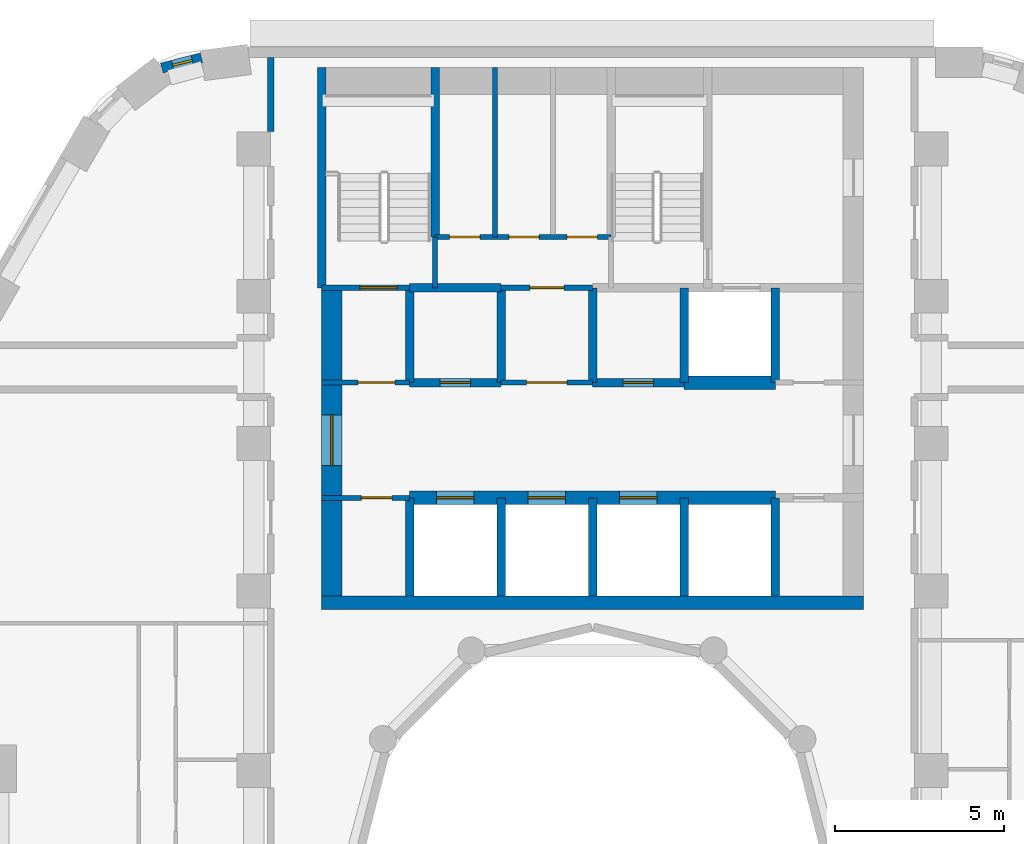
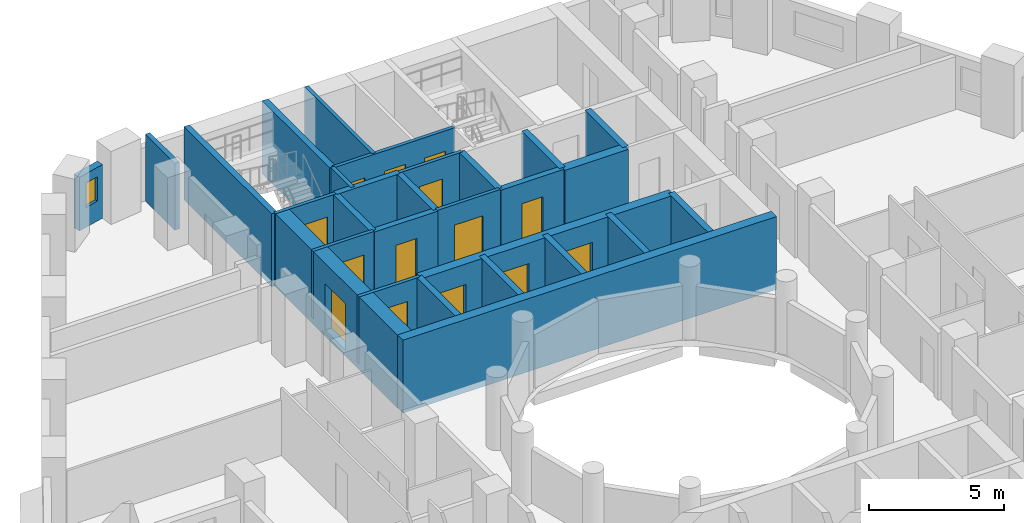
# One storey, part 7 of 12: 29 walls, 14 doors, 1 window, 15 openings.
"""IFC4 building model written with IfcOpenShell, lengths in metres."""

from ifc_helpers import new_model, si_unit, direction, frame, frame_2d, origin, place, context, subcontext, project, spatial, rectangle, extrude, material, layer, layer_set, type_object, element, fill, save


model = new_model("IFC4")

# Units and contexts
model_context = context("Model", 3, precision=1e-05, world=origin(), true_north=direction((0.0, 1.0)))
body_context = subcontext(model_context, "Body", "Model", "MODEL_VIEW")
ifc_project = project(units=[si_unit("LENGTHUNIT", "METRE"), si_unit("AREAUNIT", "SQUARE_METRE"), si_unit("VOLUMEUNIT", "CUBIC_METRE"), si_unit("PLANEANGLEUNIT", "RADIAN"), si_unit("MASSUNIT", "GRAM", prefix="KILO")], contexts=[model_context])

# Site, building, storey
site_placement = place(None, origin())
site = spatial("IfcSite", under=ifc_project, at=site_placement, CompositionType="ELEMENT")
building_placement = place(site_placement, origin())
building = spatial("IfcBuilding", under=site, at=building_placement, Name="Nakaniwa Court", CompositionType="ELEMENT")
storey_placement = place(building_placement, frame((0.0, 0.0, 104.10009765625)))
storey = spatial("IfcBuildingStorey", under=building, at=storey_placement, Name="L27", CompositionType="ELEMENT", Elevation=104.10009765625)

# Wall
ifc_material_1 = material(Name="Acoustic double stud partition")
ifc_layer_1 = layer(ifc_material_1, 0.199951171875)
ifc_layer_set_1 = layer_set([ifc_layer_1], Name="Acoustic double stud partition")
wall_type_1 = type_object("IfcWallType", Name="Acoustic double stud partition 200", PredefinedType="PARTITIONING", material=ifc_layer_set_1)
wall_1_placement = place(storey_placement, frame((70.5, 101.51708984375, 0.0), z_axis=(0.0, 0.0, 1.0), x_axis=(0.0, 1.0, 0.0)))
element("IfcWall", 1, at=wall_1_placement, inside=storey, type_object=wall_type_1, Name="Partition PW-108", PredefinedType="PARTITIONING", context=body_context, shape_type="SweptSolid", body=[
    extrude(rectangle(XDim=2.182861328125, YDim=0.199951171875, at=frame_2d((1.09130859375, 0.0))), origin(), (0.0, 0.0, 1.0), 3.02490234375),
])

# Wall, opening, window
ifc_material_2 = material(Name="Charcoal ceramic cladding")
ifc_layer_2 = layer(ifc_material_2, 0.02, Name="Ceramic cladding")
ifc_material_3 = material(Name="Ventilated air cavity")
ifc_layer_3 = layer(ifc_material_3, 0.04, ventilated=True, Name="Ventilated cavity")
ifc_material_4 = material(Name="Mineral wool insulation")
ifc_layer_4 = layer(ifc_material_4, 0.1, Name="Insulation")
ifc_material_5 = material(Name="Cement bonded sheathing board")
ifc_layer_5 = layer(ifc_material_5, 0.012, Name="Sheathing")
ifc_material_6 = material(Name="Cold-formed galvanised stud frame with mineral wool infill")
ifc_layer_6 = layer(ifc_material_6, 0.1, Name="Stud frame")
ifc_material_7 = material(Name="Fire-rated gypsum plasterboard lining")
ifc_layer_7 = layer(ifc_material_7, 0.028, Name="Lining")
ifc_layer_set_2 = layer_set([ifc_layer_2, ifc_layer_3, ifc_layer_4, ifc_layer_5, ifc_layer_6, ifc_layer_7], Name="Charcoal ceramic faced external wall system")
wall_type_2 = type_object("IfcWallType", Name="Black ceramic faced external wall 300", PredefinedType="SOLIDWALL", material=ifc_layer_set_2)
wall_2_placement = place(storey_placement, frame((68.455810546875, 103.68310546875, 0.0), z_axis=(0.0, 0.0, 1.0), x_axis=(-0.969485113966, -0.245150186208, 0.0)))
wall_2 = element("IfcWall", 2, at=wall_2_placement, inside=storey, type_object=wall_type_2, Name="L27 external wall 09", PredefinedType="SOLIDWALL", context=body_context, shape_type="SweptSolid", body=[
    extrude(rectangle(XDim=1.2080078125, YDim=0.300048828125, at=frame_2d((0.60400390625, 0.0))), origin(), (0.0, 0.0, 1.0), 2.4248046875),
])
opening_1_placement = place(wall_2_placement, frame((0.279541015625, 0.0, 0.89990234375)))
opening_1 = element("IfcOpeningElement", 3, at=opening_1_placement, cuts=wall_2, Name="Opening W8.10", PredefinedType="OPENING", context=body_context, shape_type="SweptSolid", body=[
    extrude(rectangle(XDim=0.60009765625, YDim=1.10009765625, at=frame_2d((0.300048828125, 0.550048828125))), frame((0.0, 0.159912109375, 0.0), z_axis=(0.0, -1.0, 0.0), x_axis=(1.0, 0.0, 0.0)), (0.0, 0.0, 1.0), 0.320068359375),
])
ifc_material_8 = material(Name="Black anodised aluminium frame with dark low-E laminated double glazing", Category="aluminium")
window_type = type_object("IfcWindowType", Name="Dark glass window 600x1100 sill 900", PartitioningType="SINGLE_PANEL", PredefinedType="WINDOW", material=ifc_material_8)
window_placement = place(opening_1_placement, origin())
window = element("IfcWindow", 4, at=window_placement, inside=storey, type_object=window_type, Name="L27 habitable room window 09-0", OverallHeight=1.10009765625, OverallWidth=0.60009765625, PartitioningType="SINGLE_PANEL", PredefinedType="WINDOW", context=body_context, shape_type="SweptSolid", body=[
    extrude(rectangle(XDim=0.60009765625, YDim=1.10009765625, at=frame_2d((0.300048828125, 0.550048828125))), frame((0.0, 0.030029296875, 0.0), z_axis=(0.0, -1.0, 0.0), x_axis=(1.0, 0.0, 0.0)), (0.0, 0.0, 1.0), 0.06005859375),
])
fill(opening_1, window)

# Wall, opening, door
ifc_material_9 = material(Name="Blockwork partition", Category="masonry")
ifc_layer_8 = layer(ifc_material_9, 0.14990234375)
ifc_layer_set_3 = layer_set([ifc_layer_8], Name="Blockwork partition")
wall_type_3 = type_object("IfcWallType", Name="Blockwork partition 150", PredefinedType="PARTITIONING", material=ifc_layer_set_3)
wall_3_placement = place(storey_placement, frame((74.60009765625, 90.699951171875, 0.0), z_axis=(0.0, 0.0, 1.0), x_axis=(-1.0, 0.0, 0.0)))
wall_3 = element("IfcWall", 5, at=wall_3_placement, inside=storey, type_object=wall_type_3, Name="Partition PW-003", PredefinedType="PARTITIONING", context=body_context, shape_type="SweptSolid", body=[
    extrude(rectangle(XDim=2.60009765625, YDim=0.14990234375, at=frame_2d((1.300048828125, 0.0))), origin(), (0.0, 0.0, 1.0), 3.02490234375),
])
opening_2_placement = place(wall_3_placement, frame((0.52490234375, 0.0, 0.0)))
opening_2 = element("IfcOpeningElement", 6, at=opening_2_placement, cuts=wall_3, Name="Opening D-05-01", PredefinedType="OPENING", context=body_context, shape_type="SweptSolid", body=[
    extrude(rectangle(XDim=0.89990234375, YDim=2.10009765625, at=frame_2d((0.449951171875, 1.050048828125))), frame((0.0, 0.0849609375, 0.0), z_axis=(0.0, -1.0, 0.0), x_axis=(1.0, 0.0, 0.0)), (0.0, 0.0, 1.0), 0.169921875),
])
ifc_material_10 = material(Name="Fire rated steel door set", Category="steel")
door_type_1 = type_object("IfcDoorType", Name="Service room door 900", OperationType="NOTDEFINED", PredefinedType="DOOR", material=ifc_material_10)
door_1_placement = place(opening_2_placement, origin())
door_1 = element("IfcDoor", 7, at=door_1_placement, inside=storey, type_object=door_type_1, Name="Door D-05-01 L27-001", OperationType="SINGLE_SWING_RIGHT", OverallHeight=2.10009765625, OverallWidth=0.89990234375, PredefinedType="DOOR", context=body_context, shape_type="SweptSolid", body=[
    extrude(rectangle(XDim=0.89990234375, YDim=2.10009765625, at=frame_2d((0.449951171875, 1.050048828125))), frame((0.0, 0.02490234375, 0.0), z_axis=(0.0, -1.0, 0.0), x_axis=(1.0, 0.0, 0.0)), (0.0, 0.0, 1.0), 0.050048828125),
])
fill(opening_2, door_1)

wall_4_placement = place(storey_placement, frame((72.0, 94.10009765625, 0.0), z_axis=(0.0, 0.0, 1.0), x_axis=(1.0, 0.0, 0.0)))
wall_4 = element("IfcWall", 8, at=wall_4_placement, inside=storey, type_object=wall_type_3, Name="Partition PW-016", PredefinedType="PARTITIONING", context=body_context, shape_type="SweptSolid", body=[
    extrude(rectangle(XDim=2.60302734375, YDim=0.14990234375, at=frame_2d((1.301513671875, 0.0))), origin(), (0.0, 0.0, 1.0), 3.02490234375),
])
opening_3_placement = place(wall_4_placement, frame((1.074951171875, 0.0, 0.0)))
opening_3 = element("IfcOpeningElement", 9, at=opening_3_placement, cuts=wall_4, Name="Opening D-08-01", PredefinedType="OPENING", context=body_context, shape_type="SweptSolid", body=[
    extrude(rectangle(XDim=1.10009765625, YDim=2.10009765625, at=frame_2d((0.550048828125, 1.050048828125))), frame((0.0, 0.0849609375, 0.0), z_axis=(0.0, -1.0, 0.0), x_axis=(1.0, 0.0, 0.0)), (0.0, 0.0, 1.0), 0.169921875),
])
door_type_2 = type_object("IfcDoorType", Name="Stair lobby door 1100", OperationType="NOTDEFINED", PredefinedType="DOOR", material=ifc_material_10)
door_2_placement = place(opening_3_placement, origin())
door_2 = element("IfcDoor", 10, at=door_2_placement, inside=storey, type_object=door_type_2, Name="Door D-08-01 L27-003", OperationType="SINGLE_SWING_RIGHT", OverallHeight=2.10009765625, OverallWidth=1.10009765625, PredefinedType="DOOR", context=body_context, shape_type="SweptSolid", body=[
    extrude(rectangle(XDim=1.10009765625, YDim=2.10009765625, at=frame_2d((0.550048828125, 1.050048828125))), frame((0.0, 0.02490234375, 0.0), z_axis=(0.0, -1.0, 0.0), x_axis=(1.0, 0.0, 0.0)), (0.0, 0.0, 1.0), 0.050048828125),
])
fill(opening_3, door_2)

wall_5_placement = place(storey_placement, frame((77.297119140625, 94.10009765625, 0.0), z_axis=(0.0, 0.0, 1.0), x_axis=(1.0, 0.0, 0.0)))
wall_5 = element("IfcWall", 11, at=wall_5_placement, inside=storey, type_object=wall_type_3, Name="Partition PW-017", PredefinedType="PARTITIONING", context=body_context, shape_type="SweptSolid", body=[
    extrude(rectangle(XDim=2.705810546875, YDim=0.14990234375, at=frame_2d((1.35302734375, 0.0))), origin(), (0.0, 0.0, 1.0), 3.02490234375),
])
opening_4_placement = place(wall_5_placement, frame((0.7529296875, 0.0, 0.0)))
opening_4 = element("IfcOpeningElement", 12, at=opening_4_placement, cuts=wall_5, Name="Opening D-06-01", PredefinedType="OPENING", context=body_context, shape_type="SweptSolid", body=[
    extrude(rectangle(XDim=1.199951171875, YDim=2.10009765625, at=frame_2d((0.60009765625, 1.050048828125))), frame((0.0, 0.0849609375, 0.0), z_axis=(0.0, -1.0, 0.0), x_axis=(1.0, 0.0, 0.0)), (0.0, 0.0, 1.0), 0.169921875),
])
ifc_material_11 = material(Name="Fire rated steel double door set", Category="steel")
door_type_3 = type_object("IfcDoorType", Name="Service passage double door 1200", OperationType="NOTDEFINED", PredefinedType="DOOR", material=ifc_material_11)
door_3_placement = place(opening_4_placement, origin())
door_3 = element("IfcDoor", 13, at=door_3_placement, inside=storey, type_object=door_type_3, Name="Door D-06-01 L27-005", OperationType="DOUBLE_DOOR_SINGLE_SWING", OverallHeight=2.10009765625, OverallWidth=1.199951171875, PredefinedType="DOOR", context=body_context, shape_type="SweptSolid", body=[
    extrude(rectangle(XDim=1.199951171875, YDim=2.10009765625, at=frame_2d((0.60009765625, 1.050048828125))), frame((0.0, 0.02490234375, 0.0), z_axis=(0.0, -1.0, 0.0), x_axis=(1.0, 0.0, 0.0)), (0.0, 0.0, 1.0), 0.050048828125),
])
fill(opening_4, door_3)

wall_6_placement = place(storey_placement, frame((77.300048828125, 96.89990234375, 0.0), z_axis=(0.0, 0.0, 1.0), x_axis=(1.0, 0.0, 0.0)))
wall_6 = element("IfcWall", 14, at=wall_6_placement, inside=storey, type_object=wall_type_3, Name="Partition PW-025", PredefinedType="PARTITIONING", context=body_context, shape_type="SweptSolid", body=[
    extrude(rectangle(XDim=2.699951171875, YDim=0.14990234375, at=frame_2d((1.35009765625, 0.0))), origin(), (0.0, 0.0, 1.0), 3.02490234375),
])
opening_5_placement = place(wall_6_placement, frame((0.85009765625, 0.0, 0.0)))
opening_5 = element("IfcOpeningElement", 15, at=opening_5_placement, cuts=wall_6, Name="Opening D-23-01", PredefinedType="OPENING", context=body_context, shape_type="SweptSolid", body=[
    extrude(rectangle(XDim=1.0, YDim=2.10009765625, at=frame_2d((0.5, 1.050048828125))), frame((0.0, 0.0849609375, 0.0), z_axis=(0.0, -1.0, 0.0), x_axis=(1.0, 0.0, 0.0)), (0.0, 0.0, 1.0), 0.169921875),
])
door_type_4 = type_object("IfcDoorType", Name="Service room door 1000", OperationType="NOTDEFINED", PredefinedType="DOOR", material=ifc_material_10)
door_4_placement = place(opening_5_placement, origin())
door_4 = element("IfcDoor", 16, at=door_4_placement, inside=storey, type_object=door_type_4, Name="Door D-23-01 L27-008", OperationType="SINGLE_SWING_LEFT", OverallHeight=2.10009765625, OverallWidth=1.0, PredefinedType="DOOR", context=body_context, shape_type="SweptSolid", body=[
    extrude(rectangle(XDim=1.0, YDim=2.10009765625, at=frame_2d((0.5, 1.050048828125))), frame((0.0, 0.02490234375, 0.0), z_axis=(0.0, -1.0, 0.0), x_axis=(1.0, 0.0, 0.0)), (0.0, 0.0, 1.0), 0.050048828125),
])
fill(opening_5, door_4)

# Wall, openings, doors
wall_7_placement = place(storey_placement, frame((75.35009765625, 98.39990234375, 0.0), z_axis=(0.0, 0.0, 1.0), x_axis=(1.0, 0.0, 0.0)))
wall_7 = element("IfcWall", 17, at=wall_7_placement, inside=storey, type_object=wall_type_3, Name="Partition PW-032", PredefinedType="PARTITIONING", context=body_context, shape_type="SweptSolid", body=[
    extrude(rectangle(XDim=5.199951171875, YDim=0.14990234375, at=frame_2d((2.60009765625, 0.0))), origin(), (0.0, 0.0, 1.0), 3.02490234375),
])
opening_6_placement = place(wall_7_placement, frame((0.43408203125, 0.0, 0.0)))
opening_6 = element("IfcOpeningElement", 18, at=opening_6_placement, cuts=wall_7, Name="Opening D-05-06", PredefinedType="OPENING", context=body_context, shape_type="SweptSolid", body=[
    extrude(rectangle(XDim=0.89990234375, YDim=2.10009765625, at=frame_2d((0.449951171875, 1.050048828125))), frame((0.0, 0.0849609375, 0.0), z_axis=(0.0, -1.0, 0.0), x_axis=(1.0, 0.0, 0.0)), (0.0, 0.0, 1.0), 0.169921875),
])
opening_7_placement = place(wall_7_placement, frame((2.176025390625, 0.0, 0.0)))
opening_7 = element("IfcOpeningElement", 19, at=opening_7_placement, cuts=wall_7, Name="Opening D-05-07", PredefinedType="OPENING", context=body_context, shape_type="SweptSolid", body=[
    extrude(rectangle(XDim=0.89990234375, YDim=2.10009765625, at=frame_2d((0.449951171875, 1.050048828125))), frame((0.0, 0.0849609375, 0.0), z_axis=(0.0, -1.0, 0.0), x_axis=(1.0, 0.0, 0.0)), (0.0, 0.0, 1.0), 0.169921875),
])
opening_8_placement = place(wall_7_placement, frame((3.89208984375, 0.0, 0.0)))
opening_8 = element("IfcOpeningElement", 20, at=opening_8_placement, cuts=wall_7, Name="Opening D-05-08", PredefinedType="OPENING", context=body_context, shape_type="SweptSolid", body=[
    extrude(rectangle(XDim=0.89990234375, YDim=2.10009765625, at=frame_2d((0.449951171875, 1.050048828125))), frame((0.0, 0.0849609375, 0.0), z_axis=(0.0, -1.0, 0.0), x_axis=(1.0, 0.0, 0.0)), (0.0, 0.0, 1.0), 0.169921875),
])
door_5_placement = place(opening_6_placement, origin())
door_5 = element("IfcDoor", 21, at=door_5_placement, inside=storey, type_object=door_type_1, Name="Door D-05-06 L27-009", OperationType="SINGLE_SWING_RIGHT", OverallHeight=2.10009765625, OverallWidth=0.89990234375, PredefinedType="DOOR", context=body_context, shape_type="SweptSolid", body=[
    extrude(rectangle(XDim=0.89990234375, YDim=2.10009765625, at=frame_2d((0.449951171875, 1.050048828125))), frame((0.0, 0.02490234375, 0.0), z_axis=(0.0, -1.0, 0.0), x_axis=(1.0, 0.0, 0.0)), (0.0, 0.0, 1.0), 0.050048828125),
])
fill(opening_6, door_5)
door_6_placement = place(opening_7_placement, origin())
door_6 = element("IfcDoor", 22, at=door_6_placement, inside=storey, type_object=door_type_1, Name="Door D-05-07 L27-010", OperationType="SINGLE_SWING_LEFT", OverallHeight=2.10009765625, OverallWidth=0.89990234375, PredefinedType="DOOR", context=body_context, shape_type="SweptSolid", body=[
    extrude(rectangle(XDim=0.89990234375, YDim=2.10009765625, at=frame_2d((0.449951171875, 1.050048828125))), frame((0.0, 0.02490234375, 0.0), z_axis=(0.0, -1.0, 0.0), x_axis=(1.0, 0.0, 0.0)), (0.0, 0.0, 1.0), 0.050048828125),
])
fill(opening_7, door_6)
door_7_placement = place(opening_8_placement, origin())
door_7 = element("IfcDoor", 23, at=door_7_placement, inside=storey, type_object=door_type_1, Name="Door D-05-08 L27-011", OperationType="SINGLE_SWING_RIGHT", OverallHeight=2.10009765625, OverallWidth=0.89990234375, PredefinedType="DOOR", context=body_context, shape_type="SweptSolid", body=[
    extrude(rectangle(XDim=0.89990234375, YDim=2.10009765625, at=frame_2d((0.449951171875, 1.050048828125))), frame((0.0, 0.02490234375, 0.0), z_axis=(0.0, -1.0, 0.0), x_axis=(1.0, 0.0, 0.0)), (0.0, 0.0, 1.0), 0.050048828125),
])
fill(opening_8, door_7)

# Wall
wall_8_placement = place(storey_placement, frame((77.117919921875, 98.39990234375, 0.0), z_axis=(0.0, 0.0, 1.0), x_axis=(0.0, 1.0, 0.0)))
element("IfcWall", 24, at=wall_8_placement, inside=storey, type_object=wall_type_3, Name="Partition PW-033", PredefinedType="PARTITIONING", context=body_context, shape_type="SweptSolid", body=[
    extrude(rectangle(XDim=5.0, YDim=0.14990234375, at=frame_2d((2.5, 0.0))), origin(), (0.0, 0.0, 1.0), 3.02490234375),
])

# Wall, opening, door
ifc_material_12 = material(Name="Concrete C80/100", Category="concrete")
ifc_layer_9 = layer(ifc_material_12, 0.60009765625)
ifc_layer_set_4 = layer_set([ifc_layer_9], Name="Concrete C80/100")
wall_type_4 = type_object("IfcWallType", Name="Concrete core side wall 600 C80", PredefinedType="SHEAR", material=ifc_layer_set_4)
wall_9_placement = place(storey_placement, frame((72.300048828125, 87.800048828125, -0.275146484375), z_axis=(0.0, 0.0, 1.0), x_axis=(0.0, 1.0, 0.0)))
wall_9 = element("IfcWall", 25, at=wall_9_placement, inside=storey, type_object=wall_type_4, Name="Core wall SW-04", PredefinedType="SHEAR", context=body_context, shape_type="SweptSolid", body=[
    extrude(rectangle(XDim=9.099853515625, YDim=0.60009765625, at=frame_2d((4.5498046875, 0.0))), origin(), (0.0, 0.0, 1.0), 3.300048828125),
])
opening_9_placement = place(wall_9_placement, frame((3.85009765625, 0.0, 0.27490234375)))
opening_9 = element("IfcOpeningElement", 26, at=opening_9_placement, cuts=wall_9, Name="Opening D-07-02", PredefinedType="OPENING", context=body_context, shape_type="SweptSolid", body=[
    extrude(rectangle(XDim=1.5, YDim=2.10009765625, at=frame_2d((0.75, 1.050048828125))), frame((0.0, 0.31005859375, 0.0), z_axis=(0.0, -1.0, 0.0), x_axis=(1.0, 0.0, 0.0)), (0.0, 0.0, 1.0), 0.6201171875),
])
ifc_material_13 = material(Name="Glazed fire rated steel double door set", Category="steel")
door_type_5 = type_object("IfcDoorType", Name="Lobby double door 1500", OperationType="NOTDEFINED", PredefinedType="DOOR", material=ifc_material_13)
door_8_placement = place(opening_9_placement, origin())
door_8 = element("IfcDoor", 27, at=door_8_placement, inside=storey, type_object=door_type_5, Name="Door D-07-02 L27-052", OperationType="DOUBLE_DOOR_SINGLE_SWING", OverallHeight=2.10009765625, OverallWidth=1.5, PredefinedType="DOOR", context=body_context, shape_type="SweptSolid", body=[
    extrude(rectangle(XDim=1.5, YDim=2.10009765625, at=frame_2d((0.75, 1.050048828125))), frame((0.0, 0.02490234375, 0.0), z_axis=(0.0, -1.0, 0.0), x_axis=(1.0, 0.0, 0.0)), (0.0, 0.0, 1.0), 0.050048828125),
])
fill(opening_9, door_8)

# Wall, openings, doors
ifc_layer_10 = layer(ifc_material_12, 0.39990234375)
ifc_layer_set_5 = layer_set([ifc_layer_10], Name="Concrete C80/100")
wall_type_5 = type_object("IfcWallType", Name="Concrete core spine wall 400 C80", PredefinedType="SHEAR", material=ifc_layer_set_5)
wall_10_placement = place(storey_placement, frame((74.60009765625, 90.699951171875, -0.275146484375), z_axis=(0.0, 0.0, 1.0), x_axis=(1.0, 0.0, 0.0)))
wall_10 = element("IfcWall", 28, at=wall_10_placement, inside=storey, type_object=wall_type_5, Name="Core wall SW-07", PredefinedType="SHEAR", context=body_context, shape_type="SweptSolid", body=[
    extrude(rectangle(XDim=10.7998046875, YDim=0.39990234375, at=frame_2d((5.39990234375, 0.0))), origin(), (0.0, 0.0, 1.0), 3.300048828125),
])
opening_10_placement = place(wall_10_placement, frame((0.800048828125, 0.0, 0.27490234375)))
opening_10 = element("IfcOpeningElement", 29, at=opening_10_placement, cuts=wall_10, Name="Opening LD01", PredefinedType="OPENING", context=body_context, shape_type="SweptSolid", body=[
    extrude(rectangle(XDim=1.10009765625, YDim=2.10009765625, at=frame_2d((0.550048828125, 1.050048828125))), frame((0.0, 0.2099609375, 0.0), z_axis=(0.0, -1.0, 0.0), x_axis=(1.0, 0.0, 0.0)), (0.0, 0.0, 1.0), 0.419921875),
])
opening_11_placement = place(wall_10_placement, frame((3.5, 0.0, 0.27490234375)))
opening_11 = element("IfcOpeningElement", 30, at=opening_11_placement, cuts=wall_10, Name="Opening LD02", PredefinedType="OPENING", context=body_context, shape_type="SweptSolid", body=[
    extrude(rectangle(XDim=1.10009765625, YDim=2.10009765625, at=frame_2d((0.550048828125, 1.050048828125))), frame((0.0, 0.2099609375, 0.0), z_axis=(0.0, -1.0, 0.0), x_axis=(1.0, 0.0, 0.0)), (0.0, 0.0, 1.0), 0.419921875),
])
opening_12_placement = place(wall_10_placement, frame((6.199951171875, 0.0, 0.27490234375)))
opening_12 = element("IfcOpeningElement", 31, at=opening_12_placement, cuts=wall_10, Name="Opening LD03", PredefinedType="OPENING", context=body_context, shape_type="SweptSolid", body=[
    extrude(rectangle(XDim=1.10009765625, YDim=2.10009765625, at=frame_2d((0.550048828125, 1.050048828125))), frame((0.0, 0.2099609375, 0.0), z_axis=(0.0, -1.0, 0.0), x_axis=(1.0, 0.0, 0.0)), (0.0, 0.0, 1.0), 0.419921875),
])
ifc_material_14 = material(Name="Stainless steel sliding lift landing door", Category="steel")
door_type_6 = type_object("IfcDoorType", Name="Lift landing door 1100", OperationType="NOTDEFINED", PredefinedType="DOOR", material=ifc_material_14)
door_9_placement = place(opening_10_placement, origin())
door_9 = element("IfcDoor", 32, at=door_9_placement, inside=storey, type_object=door_type_6, Name="Lift landing door LD01 L27-001", OperationType="SLIDING_TO_LEFT", OverallHeight=2.10009765625, OverallWidth=1.10009765625, PredefinedType="DOOR", context=body_context, shape_type="SweptSolid", body=[
    extrude(rectangle(XDim=1.10009765625, YDim=2.10009765625, at=frame_2d((0.550048828125, 1.050048828125))), frame((0.0, 0.02490234375, 0.0), z_axis=(0.0, -1.0, 0.0), x_axis=(1.0, 0.0, 0.0)), (0.0, 0.0, 1.0), 0.050048828125),
])
fill(opening_10, door_9)
door_10_placement = place(opening_11_placement, origin())
door_10 = element("IfcDoor", 33, at=door_10_placement, inside=storey, type_object=door_type_6, Name="Lift landing door LD02 L27-002", OperationType="SLIDING_TO_LEFT", OverallHeight=2.10009765625, OverallWidth=1.10009765625, PredefinedType="DOOR", context=body_context, shape_type="SweptSolid", body=[
    extrude(rectangle(XDim=1.10009765625, YDim=2.10009765625, at=frame_2d((0.550048828125, 1.050048828125))), frame((0.0, 0.02490234375, 0.0), z_axis=(0.0, -1.0, 0.0), x_axis=(1.0, 0.0, 0.0)), (0.0, 0.0, 1.0), 0.050048828125),
])
fill(opening_11, door_10)
door_11_placement = place(opening_12_placement, origin())
door_11 = element("IfcDoor", 34, at=door_11_placement, inside=storey, type_object=door_type_6, Name="Lift landing door LD03 L27-003", OperationType="SLIDING_TO_LEFT", OverallHeight=2.10009765625, OverallWidth=1.10009765625, PredefinedType="DOOR", context=body_context, shape_type="SweptSolid", body=[
    extrude(rectangle(XDim=1.10009765625, YDim=2.10009765625, at=frame_2d((0.550048828125, 1.050048828125))), frame((0.0, 0.02490234375, 0.0), z_axis=(0.0, -1.0, 0.0), x_axis=(1.0, 0.0, 0.0)), (0.0, 0.0, 1.0), 0.050048828125),
])
fill(opening_12, door_11)

# Wall
wall_11_placement = place(storey_placement, frame((82.697021484375, 94.10009765625, -0.275146484375), z_axis=(0.0, 0.0, 1.0), x_axis=(1.0, 0.0, 0.0)))
element("IfcWall", 35, at=wall_11_placement, inside=storey, type_object=wall_type_5, Name="Core wall SW-21", PredefinedType="SHEAR", context=body_context, shape_type="SweptSolid", body=[
    extrude(rectangle(XDim=2.7060546875, YDim=0.39990234375, at=frame_2d((1.35302734375, 0.0))), origin(), (0.0, 0.0, 1.0), 3.300048828125),
])

# Wall, opening, door
ifc_layer_11 = layer(ifc_material_12, 0.14990234375)
ifc_layer_set_6 = layer_set([ifc_layer_11], Name="Concrete C80/100")
wall_type_6 = type_object("IfcWallType", Name="Concrete core wall 150 C80", PredefinedType="SHEAR", material=ifc_layer_set_6)
wall_12_placement = place(storey_placement, frame((74.60009765625, 96.89990234375, -0.275146484375), z_axis=(0.0, 0.0, 1.0), x_axis=(-1.0, 0.0, 0.0)))
wall_12 = element("IfcWall", 36, at=wall_12_placement, inside=storey, type_object=wall_type_6, Name="Core wall SW-22", PredefinedType="SHEAR", context=body_context, shape_type="SweptSolid", body=[
    extrude(rectangle(XDim=2.60009765625, YDim=0.14990234375, at=frame_2d((1.300048828125, 0.0))), origin(), (0.0, 0.0, 1.0), 3.300048828125),
])
opening_13_placement = place(wall_12_placement, frame((0.3701171875, 0.0, 0.27490234375)))
opening_13 = element("IfcOpeningElement", 37, at=opening_13_placement, cuts=wall_12, Name="Opening D-09-01", PredefinedType="OPENING", context=body_context, shape_type="SweptSolid", body=[
    extrude(rectangle(XDim=1.10009765625, YDim=2.10009765625, at=frame_2d((0.550048828125, 1.050048828125))), frame((0.0, 0.0849609375, 0.0), z_axis=(0.0, -1.0, 0.0), x_axis=(1.0, 0.0, 0.0)), (0.0, 0.0, 1.0), 0.169921875),
])
door_type_7 = type_object("IfcDoorType", Name="Stair door 1100", OperationType="NOTDEFINED", PredefinedType="DOOR", material=ifc_material_10)
door_12_placement = place(opening_13_placement, origin())
door_12 = element("IfcDoor", 38, at=door_12_placement, inside=storey, type_object=door_type_7, Name="Door D-09-01 L27-012", OperationType="SINGLE_SWING_RIGHT", OverallHeight=2.10009765625, OverallWidth=1.10009765625, PredefinedType="DOOR", context=body_context, shape_type="SweptSolid", body=[
    extrude(rectangle(XDim=1.10009765625, YDim=2.10009765625, at=frame_2d((0.550048828125, 1.050048828125))), frame((0.0, 0.02490234375, 0.0), z_axis=(0.0, -1.0, 0.0), x_axis=(1.0, 0.0, 0.0)), (0.0, 0.0, 1.0), 0.050048828125),
])
fill(opening_13, door_12)

# Walls
wall_13_placement = place(storey_placement, frame((75.35009765625, 96.89990234375, -0.275146484375), z_axis=(0.0, 0.0, 1.0), x_axis=(0.0, 1.0, 0.0)))
element("IfcWall", 39, at=wall_13_placement, inside=storey, type_object=wall_type_6, Name="Core wall SW-26", PredefinedType="SHEAR", context=body_context, shape_type="SweptSolid", body=[
    extrude(rectangle(XDim=1.503173828125, YDim=0.14990234375, at=frame_2d((0.75146484375, 0.0))), origin(), (0.0, 0.0, 1.0), 3.300048828125),
])
ifc_layer_12 = layer(ifc_material_12, 0.25)
ifc_layer_set_7 = layer_set([ifc_layer_12], Name="Concrete C80/100")
wall_type_7 = type_object("IfcWallType", Name="Concrete core wall 250 C80", PredefinedType="SHEAR", material=ifc_layer_set_7)
wall_14_placement = place(storey_placement, frame((72.0, 96.89990234375, -0.275146484375), z_axis=(0.0, 0.0, 1.0), x_axis=(0.0, 1.0, 0.0)))
element("IfcWall", 40, at=wall_14_placement, inside=storey, type_object=wall_type_7, Name="Core wall SW-28", PredefinedType="SHEAR", context=body_context, shape_type="SweptSolid", body=[
    extrude(rectangle(XDim=6.5, YDim=0.25, at=frame_2d((3.25, 0.0))), origin(), (0.0, 0.0, 1.0), 3.300048828125),
])
ifc_layer_13 = layer(ifc_material_12, 0.39990234375)
ifc_layer_set_8 = layer_set([ifc_layer_13], Name="Concrete C80/100")
wall_type_8 = type_object("IfcWallType", Name="Concrete core well wall 400 C80", PredefinedType="SHEAR", material=ifc_layer_set_8)
wall_15_placement = place(storey_placement, frame((72.00390625, 87.60009765625, -0.275146484375), z_axis=(0.0, 0.0, 1.0), x_axis=(1.0, 0.0, 0.0)))
element("IfcWall", 41, at=wall_15_placement, inside=storey, type_object=wall_type_8, Name="Core wall SW-129", PredefinedType="SHEAR", context=body_context, shape_type="SweptSolid", body=[
    extrude(rectangle(XDim=15.9921875, YDim=0.39990234375, at=frame_2d((7.99609375, 0.0))), origin(), (0.0, 0.0, 1.0), 3.300048828125),
])
ifc_layer_14 = layer(ifc_material_12, 0.25)
ifc_layer_set_9 = layer_set([ifc_layer_14], Name="Concrete C80/100")
wall_type_9 = type_object("IfcWallType", Name="Concrete shaft wall 250 C80", PredefinedType="SHEAR", material=ifc_layer_set_9)
wall_16_placement = place(storey_placement, frame((74.60009765625, 87.800048828125, -0.275146484375), z_axis=(0.0, 0.0, 1.0), x_axis=(0.0, 1.0, 0.0)))
element("IfcWall", 42, at=wall_16_placement, inside=storey, type_object=wall_type_9, Name="Core wall SW-01", PredefinedType="SHEAR", context=body_context, shape_type="SweptSolid", body=[
    extrude(rectangle(XDim=2.89990234375, YDim=0.25, at=frame_2d((1.449951171875, 0.0))), origin(), (0.0, 0.0, 1.0), 3.300048828125),
])
wall_17_placement = place(storey_placement, frame((74.60009765625, 94.10009765625, -0.275146484375), z_axis=(0.0, 0.0, 1.0), x_axis=(0.0, 1.0, 0.0)))
element("IfcWall", 43, at=wall_17_placement, inside=storey, type_object=wall_type_9, Name="Core wall SW-02", PredefinedType="SHEAR", context=body_context, shape_type="SweptSolid", body=[
    extrude(rectangle(XDim=2.7998046875, YDim=0.25, at=frame_2d((1.39990234375, 0.0))), origin(), (0.0, 0.0, 1.0), 3.300048828125),
])
wall_18_placement = place(storey_placement, frame((77.300048828125, 87.800048828125, -0.275146484375), z_axis=(0.0, 0.0, 1.0), x_axis=(0.0, 1.0, 0.0)))
element("IfcWall", 44, at=wall_18_placement, inside=storey, type_object=wall_type_9, Name="Core wall SW-05", PredefinedType="SHEAR", context=body_context, shape_type="SweptSolid", body=[
    extrude(rectangle(XDim=2.89990234375, YDim=0.25, at=frame_2d((1.449951171875, 0.0))), origin(), (0.0, 0.0, 1.0), 3.300048828125),
])
wall_19_placement = place(storey_placement, frame((77.300048828125, 94.10009765625, -0.275146484375), z_axis=(0.0, 0.0, 1.0), x_axis=(0.0, 1.0, 0.0)))
element("IfcWall", 45, at=wall_19_placement, inside=storey, type_object=wall_type_9, Name="Core wall SW-06", PredefinedType="SHEAR", context=body_context, shape_type="SweptSolid", body=[
    extrude(rectangle(XDim=2.7998046875, YDim=0.25, at=frame_2d((1.39990234375, 0.0))), origin(), (0.0, 0.0, 1.0), 3.300048828125),
])
wall_20_placement = place(storey_placement, frame((80.0, 87.800048828125, -0.275146484375), z_axis=(0.0, 0.0, 1.0), x_axis=(0.0, 1.0, 0.0)))
element("IfcWall", 46, at=wall_20_placement, inside=storey, type_object=wall_type_9, Name="Core wall SW-08", PredefinedType="SHEAR", context=body_context, shape_type="SweptSolid", body=[
    extrude(rectangle(XDim=2.89990234375, YDim=0.25, at=frame_2d((1.449951171875, 0.0))), origin(), (0.0, 0.0, 1.0), 3.300048828125),
])
wall_21_placement = place(storey_placement, frame((80.0, 94.10009765625, -0.275146484375), z_axis=(0.0, 0.0, 1.0), x_axis=(0.0, 1.0, 0.0)))
element("IfcWall", 47, at=wall_21_placement, inside=storey, type_object=wall_type_9, Name="Core wall SW-09", PredefinedType="SHEAR", context=body_context, shape_type="SweptSolid", body=[
    extrude(rectangle(XDim=2.7998046875, YDim=0.25, at=frame_2d((1.39990234375, 0.0))), origin(), (0.0, 0.0, 1.0), 3.300048828125),
])
wall_22_placement = place(storey_placement, frame((82.699951171875, 87.800048828125, -0.275146484375), z_axis=(0.0, 0.0, 1.0), x_axis=(0.0, 1.0, 0.0)))
element("IfcWall", 48, at=wall_22_placement, inside=storey, type_object=wall_type_9, Name="Core wall SW-10", PredefinedType="SHEAR", context=body_context, shape_type="SweptSolid", body=[
    extrude(rectangle(XDim=2.89990234375, YDim=0.25, at=frame_2d((1.449951171875, 0.0))), origin(), (0.0, 0.0, 1.0), 3.300048828125),
])
wall_23_placement = place(storey_placement, frame((82.699951171875, 94.10009765625, -0.275146484375), z_axis=(0.0, 0.0, 1.0), x_axis=(0.0, 1.0, 0.0)))
element("IfcWall", 49, at=wall_23_placement, inside=storey, type_object=wall_type_9, Name="Core wall SW-11", PredefinedType="SHEAR", context=body_context, shape_type="SweptSolid", body=[
    extrude(rectangle(XDim=2.7998046875, YDim=0.25, at=frame_2d((1.39990234375, 0.0))), origin(), (0.0, 0.0, 1.0), 3.300048828125),
])
wall_24_placement = place(storey_placement, frame((85.39990234375, 87.800048828125, -0.275146484375), z_axis=(0.0, 0.0, 1.0), x_axis=(0.0, 1.0, 0.0)))
element("IfcWall", 50, at=wall_24_placement, inside=storey, type_object=wall_type_9, Name="Core wall SW-12", PredefinedType="SHEAR", context=body_context, shape_type="SweptSolid", body=[
    extrude(rectangle(XDim=2.89990234375, YDim=0.25, at=frame_2d((1.449951171875, 0.0))), origin(), (0.0, 0.0, 1.0), 3.300048828125),
])
wall_25_placement = place(storey_placement, frame((85.39990234375, 94.10009765625, -0.275146484375), z_axis=(0.0, 0.0, 1.0), x_axis=(0.0, 1.0, 0.0)))
element("IfcWall", 51, at=wall_25_placement, inside=storey, type_object=wall_type_9, Name="Core wall SW-13", PredefinedType="SHEAR", context=body_context, shape_type="SweptSolid", body=[
    extrude(rectangle(XDim=2.7998046875, YDim=0.25, at=frame_2d((1.39990234375, 0.0))), origin(), (0.0, 0.0, 1.0), 3.300048828125),
])

# Wall, opening, door
wall_26_placement = place(storey_placement, frame((74.596923828125, 94.10009765625, -0.275146484375), z_axis=(0.0, 0.0, 1.0), x_axis=(1.0, 0.0, 0.0)))
wall_26 = element("IfcWall", 52, at=wall_26_placement, inside=storey, type_object=wall_type_9, Name="Core wall SW-19", PredefinedType="SHEAR", context=body_context, shape_type="SweptSolid", body=[
    extrude(rectangle(XDim=2.7060546875, YDim=0.25, at=frame_2d((1.35302734375, 0.0))), origin(), (0.0, 0.0, 1.0), 3.300048828125),
])
opening_14_placement = place(wall_26_placement, frame((0.903076171875, 0.0, 0.27490234375)))
opening_14 = element("IfcOpeningElement", 53, at=opening_14_placement, cuts=wall_26, Name="Opening D-05-03", PredefinedType="OPENING", context=body_context, shape_type="SweptSolid", body=[
    extrude(rectangle(XDim=0.89990234375, YDim=2.10009765625, at=frame_2d((0.449951171875, 1.050048828125))), frame((0.0, 0.135009765625, 0.0), z_axis=(0.0, -1.0, 0.0), x_axis=(1.0, 0.0, 0.0)), (0.0, 0.0, 1.0), 0.27001953125),
])
door_13_placement = place(opening_14_placement, origin())
door_13 = element("IfcDoor", 54, at=door_13_placement, inside=storey, type_object=door_type_1, Name="Door D-05-03 L27-004", OperationType="SINGLE_SWING_LEFT", OverallHeight=2.10009765625, OverallWidth=0.89990234375, PredefinedType="DOOR", context=body_context, shape_type="SweptSolid", body=[
    extrude(rectangle(XDim=0.89990234375, YDim=2.10009765625, at=frame_2d((0.449951171875, 1.050048828125))), frame((0.0, 0.02490234375, 0.0), z_axis=(0.0, -1.0, 0.0), x_axis=(1.0, 0.0, 0.0)), (0.0, 0.0, 1.0), 0.050048828125),
])
fill(opening_14, door_13)

wall_27_placement = place(storey_placement, frame((79.9970703125, 94.10009765625, -0.275146484375), z_axis=(0.0, 0.0, 1.0), x_axis=(1.0, 0.0, 0.0)))
wall_27 = element("IfcWall", 55, at=wall_27_placement, inside=storey, type_object=wall_type_9, Name="Core wall SW-20", PredefinedType="SHEAR", context=body_context, shape_type="SweptSolid", body=[
    extrude(rectangle(XDim=2.705810546875, YDim=0.25, at=frame_2d((1.35302734375, 0.0))), origin(), (0.0, 0.0, 1.0), 3.300048828125),
])
opening_15_placement = place(wall_27_placement, frame((0.903076171875, 0.0, 0.27490234375)))
opening_15 = element("IfcOpeningElement", 56, at=opening_15_placement, cuts=wall_27, Name="Opening D-05-04", PredefinedType="OPENING", context=body_context, shape_type="SweptSolid", body=[
    extrude(rectangle(XDim=0.89990234375, YDim=2.10009765625, at=frame_2d((0.449951171875, 1.050048828125))), frame((0.0, 0.135009765625, 0.0), z_axis=(0.0, -1.0, 0.0), x_axis=(1.0, 0.0, 0.0)), (0.0, 0.0, 1.0), 0.27001953125),
])
door_14_placement = place(opening_15_placement, origin())
door_14 = element("IfcDoor", 57, at=door_14_placement, inside=storey, type_object=door_type_1, Name="Door D-05-04 L27-006", OperationType="SINGLE_SWING_LEFT", OverallHeight=2.10009765625, OverallWidth=0.89990234375, PredefinedType="DOOR", context=body_context, shape_type="SweptSolid", body=[
    extrude(rectangle(XDim=0.89990234375, YDim=2.10009765625, at=frame_2d((0.449951171875, 1.050048828125))), frame((0.0, 0.02490234375, 0.0), z_axis=(0.0, -1.0, 0.0), x_axis=(1.0, 0.0, 0.0)), (0.0, 0.0, 1.0), 0.050048828125),
])
fill(opening_15, door_14)

# Walls
wall_28_placement = place(storey_placement, frame((74.60009765625, 96.89990234375, -0.275146484375), z_axis=(0.0, 0.0, 1.0), x_axis=(1.0, 0.0, 0.0)))
element("IfcWall", 58, at=wall_28_placement, inside=storey, type_object=wall_type_9, Name="Core wall SW-23", PredefinedType="SHEAR", context=body_context, shape_type="SweptSolid", body=[
    extrude(rectangle(XDim=2.699951171875, YDim=0.25, at=frame_2d((1.35009765625, 0.0))), origin(), (0.0, 0.0, 1.0), 3.300048828125),
])
wall_29_placement = place(storey_placement, frame((75.35009765625, 98.39697265625, -0.275146484375), z_axis=(0.0, 0.0, 1.0), x_axis=(0.0, 1.0, 0.0)))
element("IfcWall", 59, at=wall_29_placement, inside=storey, type_object=wall_type_9, Name="Core wall SW-27", PredefinedType="SHEAR", context=body_context, shape_type="SweptSolid", body=[
    extrude(rectangle(XDim=5.0029296875, YDim=0.25, at=frame_2d((2.50146484375, 0.0))), origin(), (0.0, 0.0, 1.0), 3.300048828125),
])

save(model, "model.ifc")
